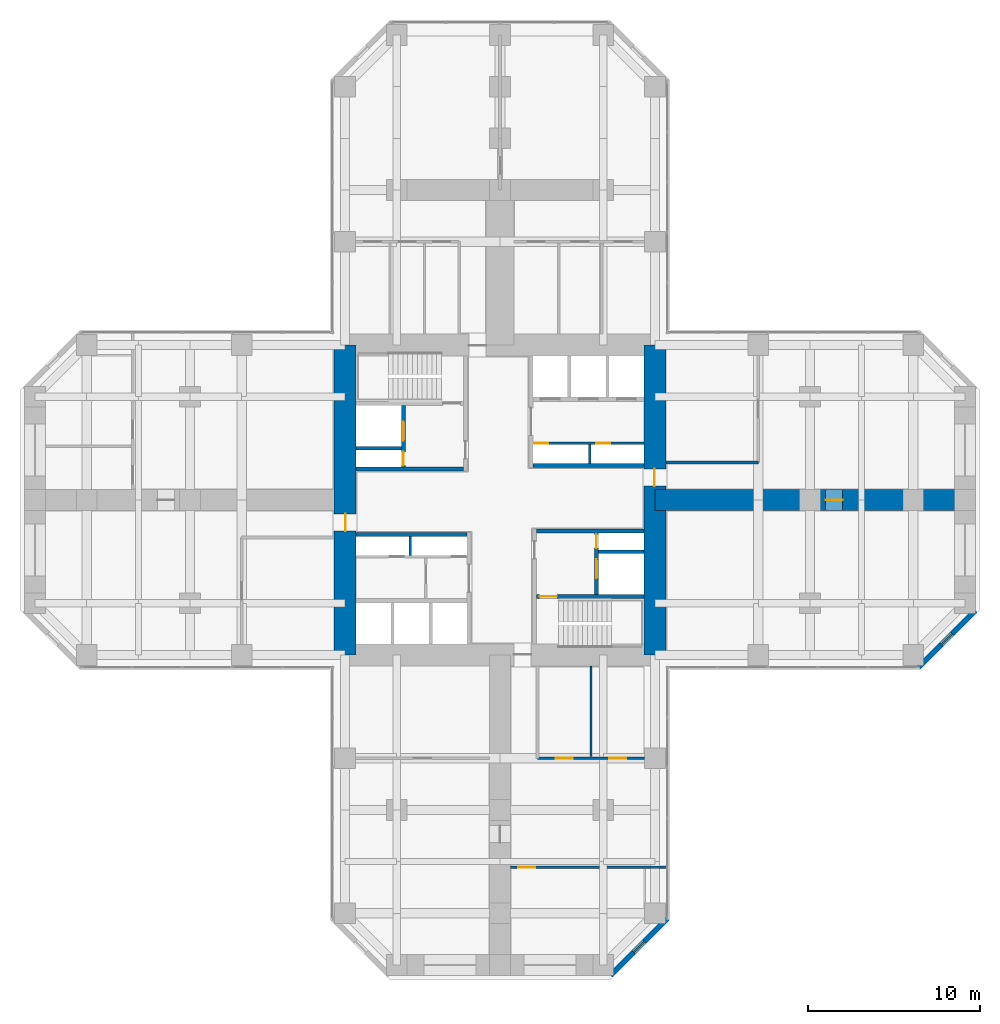
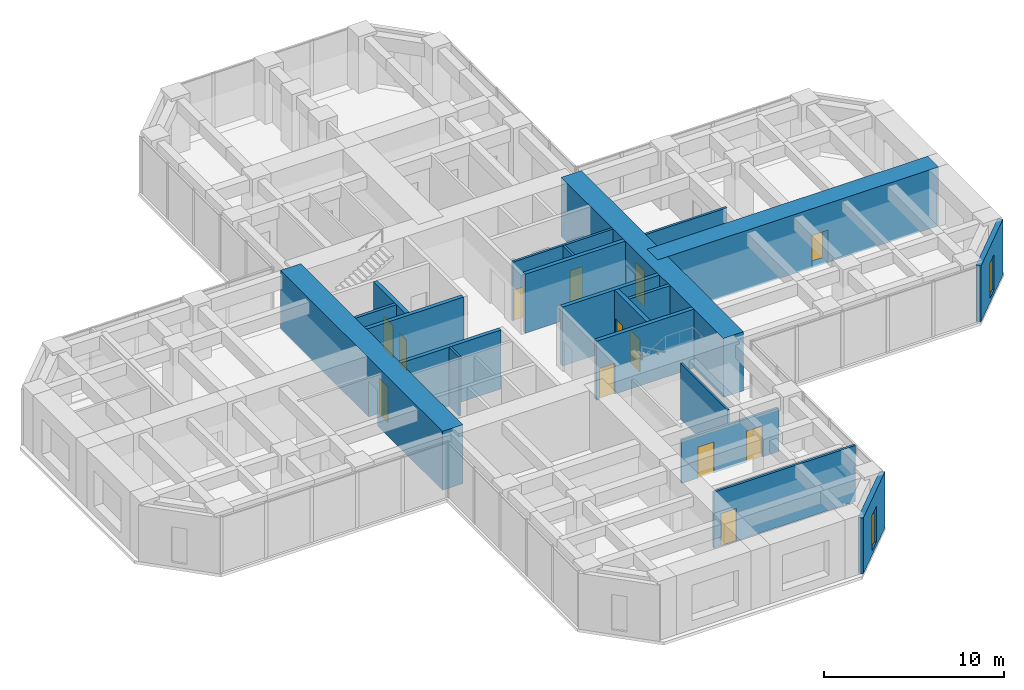
# One storey, part 9 of 12: 21 walls, 13 doors, 2 windows, 15 openings.
"""IFC4 building model written with IfcOpenShell, lengths in metres."""

from ifc_helpers import new_model, si_unit, direction, frame, frame_2d, origin, place, context, subcontext, project, spatial, rectangle, hollow_rectangle, extrude, material, layer, layer_set, constituent, constituent_set, type_object, element, fill, save


model = new_model("IFC4")

# Units and contexts
model_context = context("Model", 3, precision=1e-05, world=origin(), true_north=direction((0.0, 1.0)))
body_context = subcontext(model_context, "Body", "Model", "MODEL_VIEW")
ifc_project = project(units=[si_unit("LENGTHUNIT", "METRE"), si_unit("AREAUNIT", "SQUARE_METRE"), si_unit("VOLUMEUNIT", "CUBIC_METRE"), si_unit("PLANEANGLEUNIT", "RADIAN"), si_unit("MASSUNIT", "GRAM", prefix="KILO")], contexts=[model_context])

# Site, building, storey
site_placement = place(None, origin())
site = spatial("IfcSite", under=ifc_project, at=site_placement, CompositionType="ELEMENT")
building_placement = place(site_placement, origin())
building = spatial("IfcBuilding", under=site, at=building_placement, Name="Torre Cruceta", CompositionType="ELEMENT")
storey_placement = place(building_placement, frame((0.0, 0.0, 71.5)))
storey = spatial("IfcBuildingStorey", under=building, at=storey_placement, Name="L17", CompositionType="ELEMENT", Elevation=71.5)

# Walls
ifc_material_1 = material(Name="Concrete G60 (fck 60 MPa)", Category="concrete")
ifc_layer_1 = layer(ifc_material_1, 0.25)
ifc_layer_set_1 = layer_set([ifc_layer_1], Name="Concrete G60 (fck 60 MPa)")
wall_type_1 = type_object("IfcWallType", Name="CORE INNER WALL 250 G60", PredefinedType="SHEAR", material=ifc_layer_set_1)
wall_1_placement = place(storey_placement, frame((1.925048828125, 2.0, 0.0), z_axis=(0.0, 0.0, 1.0), x_axis=(1.0, 0.0, 0.0)))
element("IfcWall", 1, at=wall_1_placement, inside=storey, type_object=wall_type_1, Name="CW4 L17 NE-CV", PredefinedType="SHEAR", context=body_context, shape_type="SweptSolid", body=[
    extrude(rectangle(XDim=6.425048828125, YDim=0.25, at=frame_2d((3.21240234375, 0.0))), origin(), (0.0, 0.0, 1.0), 4.0),
])
wall_2_placement = place(storey_placement, frame((-2.125, 1.800048828125, 0.0), z_axis=(0.0, 0.0, 1.0), x_axis=(-1.0, 0.0, 0.0)))
element("IfcWall", 2, at=wall_2_placement, inside=storey, type_object=wall_type_1, Name="CW4 L17 NW-CV", PredefinedType="SHEAR", context=body_context, shape_type="SweptSolid", body=[
    extrude(rectangle(XDim=6.22509765625, YDim=0.25, at=frame_2d((3.112548828125, 0.0))), origin(), (0.0, 0.0, 1.0), 4.0),
])

# Wall, openings, doors
wall_3_placement = place(storey_placement, frame((-5.60009765625, 1.925048828125, 0.0), z_axis=(0.0, 0.0, 1.0), x_axis=(0.0, 1.0, 0.0)))
wall_3 = element("IfcWall", 3, at=wall_3_placement, inside=storey, type_object=wall_type_1, Name="CW4 L17 NW-FU", PredefinedType="SHEAR", context=body_context, shape_type="SweptSolid", body=[
    extrude(rectangle(XDim=3.550048828125, YDim=0.25, at=frame_2d((1.77490234375, 0.0))), origin(), (0.0, 0.0, 1.0), 4.0),
])
opening_1_placement = place(wall_3_placement, frame((1.52490234375, 0.0, 0.0)))
opening_1 = element("IfcOpeningElement", 4, at=opening_1_placement, cuts=wall_3, Name="Opening LD1", PredefinedType="OPENING", context=body_context, shape_type="SweptSolid", body=[
    extrude(rectangle(XDim=1.10009765625, YDim=2.199951171875, at=frame_2d((0.550048828125, 1.10009765625))), frame((0.0, 0.135009765625, 0.0), z_axis=(0.0, -1.0, 0.0), x_axis=(1.0, 0.0, 0.0)), (0.0, 0.0, 1.0), 0.27001953125),
])
opening_2_placement = place(wall_3_placement, frame((0.074951171875, 0.0, 0.0)))
opening_2 = element("IfcOpeningElement", 5, at=opening_2_placement, cuts=wall_3, Name="Opening D5", PredefinedType="OPENING", context=body_context, shape_type="SweptSolid", body=[
    extrude(rectangle(XDim=0.800048828125, YDim=2.10009765625, at=frame_2d((0.39990234375, 1.050048828125))), frame((0.0, 0.135009765625, 0.0), z_axis=(0.0, -1.0, 0.0), x_axis=(1.0, 0.0, 0.0)), (0.0, 0.0, 1.0), 0.27001953125),
])
ifc_material_2 = material(Name="Stainless steel 1.4401", Category="steel")
door_type_1 = type_object("IfcDoorType", Name="LIFT LANDING DOOR 1100X2200", OperationType="DOUBLE_DOOR_SLIDING", PredefinedType="DOOR", material=ifc_material_2)
door_1_placement = place(opening_1_placement, origin())
door_1 = element("IfcDoor", 6, at=door_1_placement, inside=storey, type_object=door_type_1, Name="Lift landing door FL1", OperationType="DOUBLE_DOOR_SLIDING", OverallHeight=2.199951171875, OverallWidth=1.10009765625, PredefinedType="DOOR", context=body_context, shape_type="SweptSolid", body=[
    extrude(rectangle(XDim=1.10009765625, YDim=2.199951171875, at=frame_2d((0.550048828125, 1.10009765625))), frame((0.0, 0.02490234375, 0.0), z_axis=(0.0, -1.0, 0.0), x_axis=(1.0, 0.0, 0.0)), (0.0, 0.0, 1.0), 0.050048828125),
])
fill(opening_1, door_1)
ifc_material_3 = material(Name="Steel DX51D", Category="steel")
ifc_constituent_1 = constituent(ifc_material_3, Name="Leaf and frame")
ifc_material_4 = material(Name="Polyester powder coating", Category="paint")
ifc_constituent_2 = constituent(ifc_material_4, Name="Finish")
ifc_constituent_set_1 = constituent_set(constituents=[ifc_constituent_1, ifc_constituent_2], Name="Steel fire door")
door_type_2 = type_object("IfcDoorType", Name="RISER ACCESS DOOR 800X2100", OperationType="SINGLE_SWING_LEFT", PredefinedType="DOOR", material=ifc_constituent_set_1)
door_2_placement = place(opening_2_placement, origin())
door_2 = element("IfcDoor", 7, at=door_2_placement, inside=storey, type_object=door_type_2, Name="D5 L17 NW-RISER", OperationType="SINGLE_SWING_LEFT", OverallHeight=2.10009765625, OverallWidth=0.800048828125, PredefinedType="DOOR", context=body_context, shape_type="SweptSolid", body=[
    extrude(rectangle(XDim=0.800048828125, YDim=2.10009765625, at=frame_2d((0.39990234375, 1.050048828125))), frame((0.0, 0.02490234375, 0.0), z_axis=(0.0, -1.0, 0.0), x_axis=(1.0, 0.0, 0.0)), (0.0, 0.0, 1.0), 0.050048828125),
])
fill(opening_2, door_2)

# Walls
wall_4_placement = place(storey_placement, frame((-1.925048828125, -2.0, 0.0), z_axis=(0.0, 0.0, 1.0), x_axis=(-1.0, 0.0, 0.0)))
element("IfcWall", 8, at=wall_4_placement, inside=storey, type_object=wall_type_1, Name="CW4 L17 SW-CV", PredefinedType="SHEAR", context=body_context, shape_type="SweptSolid", body=[
    extrude(rectangle(XDim=6.425048828125, YDim=0.25, at=frame_2d((3.21240234375, 0.0))), origin(), (0.0, 0.0, 1.0), 4.0),
])
wall_5_placement = place(storey_placement, frame((2.125, -1.800048828125, 0.0), z_axis=(0.0, 0.0, 1.0), x_axis=(1.0, 0.0, 0.0)))
element("IfcWall", 9, at=wall_5_placement, inside=storey, type_object=wall_type_1, Name="CW4 L17 SE-CV", PredefinedType="SHEAR", context=body_context, shape_type="SweptSolid", body=[
    extrude(rectangle(XDim=6.22509765625, YDim=0.25, at=frame_2d((3.112548828125, 0.0))), origin(), (0.0, 0.0, 1.0), 4.0),
])

# Wall, opening, door
wall_6_placement = place(storey_placement, frame((2.125, -5.60009765625, 0.0), z_axis=(0.0, 0.0, 1.0), x_axis=(1.0, 0.0, 0.0)))
wall_6 = element("IfcWall", 10, at=wall_6_placement, inside=storey, type_object=wall_type_1, Name="CW4 L17 SE-SV", PredefinedType="SHEAR", context=body_context, shape_type="SweptSolid", body=[
    extrude(rectangle(XDim=6.22509765625, YDim=0.25, at=frame_2d((3.112548828125, 0.0))), origin(), (0.0, 0.0, 1.0), 4.0),
])
opening_3_placement = place(wall_6_placement, frame((0.175048828125, 0.0, 0.0)))
opening_3 = element("IfcOpeningElement", 11, at=opening_3_placement, cuts=wall_6, Name="Opening D3", PredefinedType="OPENING", context=body_context, shape_type="SweptSolid", body=[
    extrude(rectangle(XDim=1.0, YDim=2.10009765625, at=frame_2d((0.5, 1.050048828125))), frame((0.0, 0.135009765625, 0.0), z_axis=(0.0, -1.0, 0.0), x_axis=(1.0, 0.0, 0.0)), (0.0, 0.0, 1.0), 0.27001953125),
])
ifc_material_5 = material(Name="Steel DX51D", Category="steel")
ifc_constituent_3 = constituent(ifc_material_5, Name="Leaf and frame")
ifc_material_6 = material(Name="Polyester powder coating", Category="paint")
ifc_constituent_4 = constituent(ifc_material_6, Name="Finish")
ifc_constituent_set_2 = constituent_set(constituents=[ifc_constituent_3, ifc_constituent_4], Name="Steel fire door")
door_type_3 = type_object("IfcDoorType", Name="FIRE DOOR 1000X2100", OperationType="SINGLE_SWING_LEFT", PredefinedType="DOOR", material=ifc_constituent_set_2)
door_3_placement = place(opening_3_placement, frame((1.0, 0.0, 0.0), z_axis=(0.0, 0.0, 1.0), x_axis=(-1.0, 0.0, 0.0)))
door_3 = element("IfcDoor", 12, at=door_3_placement, inside=storey, type_object=door_type_3, Name="D3 L17 SE-STAIR", OperationType="SINGLE_SWING_RIGHT", OverallHeight=2.10009765625, OverallWidth=1.0, PredefinedType="DOOR", context=body_context, shape_type="SweptSolid", body=[
    extrude(rectangle(XDim=1.0, YDim=2.10009765625, at=frame_2d((0.5, 1.050048828125))), frame((0.0, 0.025146484375, 0.0), z_axis=(0.0, -1.0, 0.0), x_axis=(1.0, 0.0, 0.0)), (0.0, 0.0, 1.0), 0.050048828125),
])
fill(opening_3, door_3)

# Wall, openings, doors
wall_7_placement = place(storey_placement, frame((5.60009765625, -1.925048828125, 0.0), z_axis=(0.0, 0.0, 1.0), x_axis=(0.0, -1.0, 0.0)))
wall_7 = element("IfcWall", 13, at=wall_7_placement, inside=storey, type_object=wall_type_1, Name="CW4 L17 SE-FU", PredefinedType="SHEAR", context=body_context, shape_type="SweptSolid", body=[
    extrude(rectangle(XDim=3.550048828125, YDim=0.25, at=frame_2d((1.77490234375, 0.0))), origin(), (0.0, 0.0, 1.0), 4.0),
])
opening_4_placement = place(wall_7_placement, frame((1.52490234375, 0.0, 0.0)))
opening_4 = element("IfcOpeningElement", 14, at=opening_4_placement, cuts=wall_7, Name="Opening LD1", PredefinedType="OPENING", context=body_context, shape_type="SweptSolid", body=[
    extrude(rectangle(XDim=1.10009765625, YDim=2.199951171875, at=frame_2d((0.550048828125, 1.10009765625))), frame((0.0, 0.135009765625, 0.0), z_axis=(0.0, -1.0, 0.0), x_axis=(1.0, 0.0, 0.0)), (0.0, 0.0, 1.0), 0.27001953125),
])
opening_5_placement = place(wall_7_placement, frame((0.074951171875, 0.0, 0.0)))
opening_5 = element("IfcOpeningElement", 15, at=opening_5_placement, cuts=wall_7, Name="Opening D5", PredefinedType="OPENING", context=body_context, shape_type="SweptSolid", body=[
    extrude(rectangle(XDim=0.800048828125, YDim=2.10009765625, at=frame_2d((0.39990234375, 1.050048828125))), frame((0.0, 0.135009765625, 0.0), z_axis=(0.0, -1.0, 0.0), x_axis=(1.0, 0.0, 0.0)), (0.0, 0.0, 1.0), 0.27001953125),
])
door_4_placement = place(opening_4_placement, origin())
door_4 = element("IfcDoor", 16, at=door_4_placement, inside=storey, type_object=door_type_1, Name="Lift landing door FL2", OperationType="DOUBLE_DOOR_SLIDING", OverallHeight=2.199951171875, OverallWidth=1.10009765625, PredefinedType="DOOR", context=body_context, shape_type="SweptSolid", body=[
    extrude(rectangle(XDim=1.10009765625, YDim=2.199951171875, at=frame_2d((0.550048828125, 1.10009765625))), frame((0.0, 0.02490234375, 0.0), z_axis=(0.0, -1.0, 0.0), x_axis=(1.0, 0.0, 0.0)), (0.0, 0.0, 1.0), 0.050048828125),
])
fill(opening_4, door_4)
door_5_placement = place(opening_5_placement, origin())
door_5 = element("IfcDoor", 17, at=door_5_placement, inside=storey, type_object=door_type_2, Name="D5 L17 SE-RISER", OperationType="SINGLE_SWING_LEFT", OverallHeight=2.10009765625, OverallWidth=0.800048828125, PredefinedType="DOOR", context=body_context, shape_type="SweptSolid", body=[
    extrude(rectangle(XDim=0.800048828125, YDim=2.10009765625, at=frame_2d((0.39990234375, 1.050048828125))), frame((0.0, 0.02490234375, 0.0), z_axis=(0.0, -1.0, 0.0), x_axis=(1.0, 0.0, 0.0)), (0.0, 0.0, 1.0), 0.050048828125),
])
fill(opening_5, door_5)

# Wall, opening, door
ifc_material_7 = material(Name="Concrete G60 (fck 60 MPa)", Category="concrete")
ifc_layer_2 = layer(ifc_material_7, 1.300048828125)
ifc_layer_set_2 = layer_set([ifc_layer_2], Name="Concrete G60 (fck 60 MPa)")
wall_type_2 = type_object("IfcWallType", Name="CORE WALL 1300 G60", PredefinedType="SHEAR", material=ifc_layer_set_2)
wall_8_placement = place(storey_placement, frame((9.0, -9.0, 0.0), z_axis=(0.0, 0.0, 1.0), x_axis=(0.0, 1.0, 0.0)))
wall_8 = element("IfcWall", 18, at=wall_8_placement, inside=storey, type_object=wall_type_2, Name="CW1 L17 CW-E", PredefinedType="SHEAR", context=body_context, shape_type="SweptSolid", body=[
    extrude(rectangle(XDim=18.0, YDim=1.300048828125, at=frame_2d((9.0, 0.0))), origin(), (0.0, 0.0, 1.0), 4.0),
])
opening_6_placement = place(wall_8_placement, frame((9.800048828125, 0.0, 0.0)))
opening_6 = element("IfcOpeningElement", 19, at=opening_6_placement, cuts=wall_8, Name="Opening D4", PredefinedType="OPENING", context=body_context, shape_type="SweptSolid", body=[
    extrude(rectangle(XDim=1.0, YDim=2.39990234375, at=frame_2d((0.5, 1.199951171875))), frame((0.0, 0.659912109375, 0.0), z_axis=(0.0, -1.0, 0.0), x_axis=(1.0, 0.0, 0.0)), (0.0, 0.0, 1.0), 1.320068359375),
])
ifc_material_8 = material(Name="Steel DX51D", Category="steel")
ifc_constituent_5 = constituent(ifc_material_8, Name="Leaf and frame")
ifc_material_9 = material(Name="Polyester powder coating", Category="paint")
ifc_constituent_6 = constituent(ifc_material_9, Name="Finish")
ifc_constituent_set_3 = constituent_set(constituents=[ifc_constituent_5, ifc_constituent_6], Name="Steel fire door")
door_type_4 = type_object("IfcDoorType", Name="CORE ARM DOOR 1000X2400", OperationType="SINGLE_SWING_RIGHT", PredefinedType="DOOR", material=ifc_constituent_set_3)
door_6_placement = place(opening_6_placement, frame((1.0, 0.0, 0.0), z_axis=(0.0, 0.0, 1.0), x_axis=(-1.0, 0.0, 0.0)))
door_6 = element("IfcDoor", 20, at=door_6_placement, inside=storey, type_object=door_type_4, Name="D4 L17 CW-E", OperationType="SINGLE_SWING_RIGHT", OverallHeight=2.39990234375, OverallWidth=1.0, PredefinedType="DOOR", context=body_context, shape_type="SweptSolid", body=[
    extrude(rectangle(XDim=1.0, YDim=2.39990234375, at=frame_2d((0.5, 1.199951171875))), frame((0.0, -0.005126953125, 0.0), z_axis=(0.0, -1.0, 0.0), x_axis=(1.0, 0.0, 0.0)), (0.0, 0.0, 1.0), 0.050048828125),
])
fill(opening_6, door_6)

wall_9_placement = place(storey_placement, frame((-9.0, 9.0, 0.0), z_axis=(0.0, 0.0, 1.0), x_axis=(0.0, -1.0, 0.0)))
wall_9 = element("IfcWall", 21, at=wall_9_placement, inside=storey, type_object=wall_type_2, Name="CW1 L17 CW-W", PredefinedType="SHEAR", context=body_context, shape_type="SweptSolid", body=[
    extrude(rectangle(XDim=18.0, YDim=1.300048828125, at=frame_2d((9.0, 0.0))), origin(), (0.0, 0.0, 1.0), 4.0),
])
opening_7_placement = place(wall_9_placement, frame((9.800048828125, 0.0, 0.0)))
opening_7 = element("IfcOpeningElement", 22, at=opening_7_placement, cuts=wall_9, Name="Opening D4", PredefinedType="OPENING", context=body_context, shape_type="SweptSolid", body=[
    extrude(rectangle(XDim=1.0, YDim=2.39990234375, at=frame_2d((0.5, 1.199951171875))), frame((0.0, 0.659912109375, 0.0), z_axis=(0.0, -1.0, 0.0), x_axis=(1.0, 0.0, 0.0)), (0.0, 0.0, 1.0), 1.320068359375),
])
door_7_placement = place(opening_7_placement, frame((1.0, 0.0, 0.0), z_axis=(0.0, 0.0, 1.0), x_axis=(-1.0, 0.0, 0.0)))
door_7 = element("IfcDoor", 23, at=door_7_placement, inside=storey, type_object=door_type_4, Name="D4 L17 CW-W", OperationType="SINGLE_SWING_RIGHT", OverallHeight=2.39990234375, OverallWidth=1.0, PredefinedType="DOOR", context=body_context, shape_type="SweptSolid", body=[
    extrude(rectangle(XDim=1.0, YDim=2.39990234375, at=frame_2d((0.5, 1.199951171875))), frame((0.0, -0.005126953125, 0.0), z_axis=(0.0, -1.0, 0.0), x_axis=(1.0, 0.0, 0.0)), (0.0, 0.0, 1.0), 0.050048828125),
])
fill(opening_7, door_7)

# Wall, opening, window
ifc_material_10 = material(Name="Concrete G30 (fck 30 MPa)", Category="concrete")
ifc_layer_3 = layer(ifc_material_10, 0.300048828125)
ifc_layer_set_3 = layer_set([ifc_layer_3], Name="Concrete G30 (fck 30 MPa)")
wall_type_3 = type_object("IfcWallType", Name="EXPOSED CONCRETE FACADE WALL 300", PredefinedType="SOLIDWALL", material=ifc_layer_set_3)
wall_10_placement = place(storey_placement, frame((24.29833984375, -9.719970703125, 0.0), z_axis=(0.0, 0.0, 1.0), x_axis=(0.707106781187, 0.707106781187, 0.0)))
wall_10 = element("IfcWall", 24, at=wall_10_placement, inside=storey, type_object=wall_type_3, Name="EW1 facade wall L17 E chamfer 01", PredefinedType="SOLIDWALL", context=body_context, shape_type="SweptSolid", body=[
    extrude(rectangle(XDim=4.66943359375, YDim=0.300048828125, at=frame_2d((2.334716796875, 0.0))), origin(), (0.0, 0.0, 1.0), 3.800048828125),
])
opening_8_placement = place(wall_10_placement, frame((1.884765625, 0.0, 0.300048828125)))
opening_8 = element("IfcOpeningElement", 25, at=opening_8_placement, cuts=wall_10, Name="Opening WN5", PredefinedType="OPENING", context=body_context, shape_type="SweptSolid", body=[
    extrude(rectangle(XDim=0.89990234375, YDim=2.39990234375, at=frame_2d((0.449951171875, 1.199951171875))), frame((0.0, 0.159912109375, 0.0), z_axis=(0.0, -1.0, 0.0), x_axis=(1.0, 0.0, 0.0)), (0.0, 0.0, 1.0), 0.320068359375),
])
ifc_material_11 = material(Name="Aluminium window frame", Category="aluminium")
ifc_constituent_7 = constituent(ifc_material_11, Name="Frame")
ifc_material_12 = material(Name="Laminated insulating glass unit, low-iron clear", Category="glass")
ifc_constituent_8 = constituent(ifc_material_12, Name="Glazing")
ifc_constituent_set_4 = constituent_set(constituents=[ifc_constituent_7, ifc_constituent_8], Name="Aluminium window")
window_type = type_object("IfcWindowType", Name="CHAMFER SLOT WINDOW 900X2400", PartitioningType="SINGLE_PANEL", PredefinedType="WINDOW", material=ifc_constituent_set_4)
window_1_placement = place(opening_8_placement, origin())
window_1 = element("IfcWindow", 26, at=window_1_placement, inside=storey, type_object=window_type, Name="WN5 L17 E 1", OverallHeight=2.39990234375, OverallWidth=0.89990234375, PartitioningType="SINGLE_PANEL", PredefinedType="WINDOW", context=body_context, shape_type="SweptSolid", body=[
    extrude(hollow_rectangle(XDim=0.89990234375, YDim=2.39990234375, WallThickness=0.06005859375, at=frame_2d((0.449951171875, 1.199951171875))), frame((0.0, 0.030029296875, 0.0), z_axis=(0.0, -1.0, 0.0), x_axis=(1.0, 0.0, 0.0)), (0.0, 0.0, 1.0), 0.06005859375),
    extrude(rectangle(XDim=0.77880859375, YDim=2.27880859375, at=frame_2d((0.449951171875, 1.199951171875))), frame((0.0, 0.030029296875, 0.0), z_axis=(0.0, -1.0, 0.0), x_axis=(1.0, 0.0, 0.0)), (0.0, 0.0, 1.0), 0.06005859375),
])
fill(opening_8, window_1)

wall_11_placement = place(storey_placement, frame((6.418212890625, -27.60009765625, 0.0), z_axis=(0.0, 0.0, 1.0), x_axis=(0.707106781187, 0.707106781187, 0.0)))
wall_11 = element("IfcWall", 27, at=wall_11_placement, inside=storey, type_object=wall_type_3, Name="EW1 facade wall L17 S chamfer 18", PredefinedType="SOLIDWALL", context=body_context, shape_type="SweptSolid", body=[
    extrude(rectangle(XDim=4.66943359375, YDim=0.300048828125, at=frame_2d((2.334716796875, 0.0))), origin(), (0.0, 0.0, 1.0), 3.800048828125),
])
opening_9_placement = place(wall_11_placement, frame((1.884765625, 0.0, 0.300048828125)))
opening_9 = element("IfcOpeningElement", 28, at=opening_9_placement, cuts=wall_11, Name="Opening WN5", PredefinedType="OPENING", context=body_context, shape_type="SweptSolid", body=[
    extrude(rectangle(XDim=0.89990234375, YDim=2.39990234375, at=frame_2d((0.449951171875, 1.199951171875))), frame((0.0, 0.159912109375, 0.0), z_axis=(0.0, -1.0, 0.0), x_axis=(1.0, 0.0, 0.0)), (0.0, 0.0, 1.0), 0.320068359375),
])
window_2_placement = place(opening_9_placement, origin())
window_2 = element("IfcWindow", 29, at=window_2_placement, inside=storey, type_object=window_type, Name="WN5 L17 S 1", OverallHeight=2.39990234375, OverallWidth=0.89990234375, PartitioningType="SINGLE_PANEL", PredefinedType="WINDOW", context=body_context, shape_type="SweptSolid", body=[
    extrude(hollow_rectangle(XDim=0.89990234375, YDim=2.39990234375, WallThickness=0.06005859375, at=frame_2d((0.449951171875, 1.199951171875))), frame((0.0, 0.030029296875, 0.0), z_axis=(0.0, -1.0, 0.0), x_axis=(1.0, 0.0, 0.0)), (0.0, 0.0, 1.0), 0.06005859375),
    extrude(rectangle(XDim=0.77880859375, YDim=2.27880859375, at=frame_2d((0.449951171875, 1.199951171875))), frame((0.0, 0.030029296875, 0.0), z_axis=(0.0, -1.0, 0.0), x_axis=(1.0, 0.0, 0.0)), (0.0, 0.0, 1.0), 0.06005859375),
])
fill(opening_9, window_2)

# Walls
ifc_material_13 = material(Name="Concrete G35 (fck 35 MPa)", Category="concrete")
ifc_layer_4 = layer(ifc_material_13, 0.199951171875)
ifc_layer_set_4 = layer_set([ifc_layer_4], Name="Concrete G35 (fck 35 MPa)")
wall_type_4 = type_object("IfcWallType", Name="LIFT SHAFT WALL 200", PredefinedType="PARTITIONING", material=ifc_layer_set_4)
for number, where, z_axis, x_axis, name in (
    (30, (-5.72509765625, 3.0, 0.0), (0.0, 0.0, 1.0), (-1.0, 0.0, 0.0), "SW1 L17 NW-FR"),
    (31, (5.72509765625, -3.0, 0.0), (0.0, 0.0, 1.0), (1.0, 0.0, 0.0), "SW1 L17 SE-FR"),
):
    element("IfcWall", number, at=place(storey_placement, frame(where, z_axis=z_axis, x_axis=x_axis)), inside=storey, type_object=wall_type_4, Name=name, PredefinedType="PARTITIONING", context=body_context, shape_type="SweptSolid", body=[
        extrude(rectangle(XDim=2.625, YDim=0.199951171875, at=frame_2d((1.3125, 0.0))), origin(), (0.0, 0.0, 1.0), 4.0),
    ])
ifc_material_14 = material(Name="Plasterboard on steel studs", Category="steel")
ifc_layer_5 = layer(ifc_material_14, 0.14990234375)
ifc_layer_set_5 = layer_set([ifc_layer_5], Name="Plasterboard on steel studs")
wall_type_5 = type_object("IfcWallType", Name="PARTITION 150", PredefinedType="PARTITIONING", material=ifc_layer_set_5)
wall_12_placement = place(storey_placement, frame((9.64990234375, 2.175048828125, 0.0), z_axis=(0.0, 0.0, 1.0), x_axis=(1.0, 0.0, 0.0)))
element("IfcWall", 32, at=wall_12_placement, inside=storey, type_object=wall_type_5, Name="PT1 L17-E-BSL", PredefinedType="PARTITIONING", context=body_context, shape_type="SweptSolid", body=[
    extrude(rectangle(XDim=5.35009765625, YDim=0.14990234375, at=frame_2d((2.675048828125, 0.0))), origin(), (0.0, 0.0, 1.0), 3.800048828125),
])

# Wall, openings, doors
wall_13_placement = place(storey_placement, frame((2.175048828125, -15.0, 0.0), z_axis=(0.0, 0.0, 1.0), x_axis=(1.0, 0.0, 0.0)))
wall_13 = element("IfcWall", 33, at=wall_13_placement, inside=storey, type_object=wall_type_5, Name="PT1 L17-S-BFL", PredefinedType="PARTITIONING", context=body_context, shape_type="SweptSolid", body=[
    extrude(rectangle(XDim=6.224853515625, YDim=0.14990234375, at=frame_2d((3.1123046875, 0.0))), origin(), (0.0, 0.0, 1.0), 2.949951171875),
])
opening_10_placement = place(wall_13_placement, frame((1.05615234375, 0.0, 0.0)))
opening_10 = element("IfcOpeningElement", 34, at=opening_10_placement, cuts=wall_13, Name="Opening D3", PredefinedType="OPENING", context=body_context, shape_type="SweptSolid", body=[
    extrude(rectangle(XDim=1.0, YDim=2.10009765625, at=frame_2d((0.5, 1.050048828125))), frame((0.0, 0.0849609375, 0.0), z_axis=(0.0, -1.0, 0.0), x_axis=(1.0, 0.0, 0.0)), (0.0, 0.0, 1.0), 0.169921875),
])
opening_11_placement = place(wall_13_placement, frame((4.168701171875, 0.0, 0.0)))
opening_11 = element("IfcOpeningElement", 35, at=opening_11_placement, cuts=wall_13, Name="Opening D3", PredefinedType="OPENING", context=body_context, shape_type="SweptSolid", body=[
    extrude(rectangle(XDim=1.0, YDim=2.10009765625, at=frame_2d((0.5, 1.050048828125))), frame((0.0, 0.0849609375, 0.0), z_axis=(0.0, -1.0, 0.0), x_axis=(1.0, 0.0, 0.0)), (0.0, 0.0, 1.0), 0.169921875),
])
door_8_placement = place(opening_10_placement, origin())
door_8 = element("IfcDoor", 36, at=door_8_placement, inside=storey, type_object=door_type_3, Name="D3 L17-S-BFL-D1", OperationType="SINGLE_SWING_LEFT", OverallHeight=2.10009765625, OverallWidth=1.0, PredefinedType="DOOR", context=body_context, shape_type="SweptSolid", body=[
    extrude(rectangle(XDim=1.0, YDim=2.10009765625, at=frame_2d((0.5, 1.050048828125))), frame((0.0, 0.02490234375, 0.0), z_axis=(0.0, -1.0, 0.0), x_axis=(1.0, 0.0, 0.0)), (0.0, 0.0, 1.0), 0.050048828125),
])
fill(opening_10, door_8)
door_9_placement = place(opening_11_placement, origin())
door_9 = element("IfcDoor", 37, at=door_9_placement, inside=storey, type_object=door_type_3, Name="D3 L17-S-BFL-D2", OperationType="SINGLE_SWING_LEFT", OverallHeight=2.10009765625, OverallWidth=1.0, PredefinedType="DOOR", context=body_context, shape_type="SweptSolid", body=[
    extrude(rectangle(XDim=1.0, YDim=2.10009765625, at=frame_2d((0.5, 1.050048828125))), frame((0.0, 0.02490234375, 0.0), z_axis=(0.0, -1.0, 0.0), x_axis=(1.0, 0.0, 0.0)), (0.0, 0.0, 1.0), 0.050048828125),
])
fill(opening_11, door_9)

# Wall, opening, door
wall_14_placement = place(storey_placement, frame((0.60009765625, -21.320068359375, 0.0), z_axis=(0.0, 0.0, 1.0), x_axis=(1.0, 0.0, 0.0)))
wall_14 = element("IfcWall", 38, at=wall_14_placement, inside=storey, type_object=wall_type_5, Name="PT1 L17-S-TWL", PredefinedType="PARTITIONING", context=body_context, shape_type="SweptSolid", body=[
    extrude(rectangle(XDim=9.079833984375, YDim=0.14990234375, at=frame_2d((4.5400390625, 0.0))), origin(), (0.0, 0.0, 1.0), 3.800048828125),
])
opening_12_placement = place(wall_14_placement, frame((0.449951171875, 0.0, 0.0)))
opening_12 = element("IfcOpeningElement", 39, at=opening_12_placement, cuts=wall_14, Name="Opening D14", PredefinedType="OPENING", context=body_context, shape_type="SweptSolid", body=[
    extrude(rectangle(XDim=1.0, YDim=2.199951171875, at=frame_2d((0.5, 1.10009765625))), frame((0.0, 0.0849609375, 0.0), z_axis=(0.0, -1.0, 0.0), x_axis=(1.0, 0.0, 0.0)), (0.0, 0.0, 1.0), 0.169921875),
])
ifc_material_15 = material(Name="Steel DX51D", Category="steel")
ifc_constituent_9 = constituent(ifc_material_15, Name="Leaf and frame")
ifc_material_16 = material(Name="Polyester powder coating", Category="paint")
ifc_constituent_10 = constituent(ifc_material_16, Name="Finish")
ifc_material_17 = material(Name="Fire-resisting glass", Category="glass")
ifc_constituent_11 = constituent(ifc_material_17, Name="Vision panel")
ifc_constituent_set_5 = constituent_set(constituents=[ifc_constituent_9, ifc_constituent_10, ifc_constituent_11], Name="Steel fire door with vision panel")
door_type_5 = type_object("IfcDoorType", Name="FIRE DOOR VISION PANEL 1000X2200", OperationType="SINGLE_SWING_RIGHT", PredefinedType="DOOR", material=ifc_constituent_set_5)
door_10_placement = place(opening_12_placement, frame((1.0, 0.0, 0.0), z_axis=(0.0, 0.0, 1.0), x_axis=(-1.0, 0.0, 0.0)))
door_10 = element("IfcDoor", 40, at=door_10_placement, inside=storey, type_object=door_type_5, Name="D14 L17-S-TWL-D1", OperationType="SINGLE_SWING_RIGHT", OverallHeight=2.199951171875, OverallWidth=1.0, PredefinedType="DOOR", context=body_context, shape_type="SweptSolid", body=[
    extrude(rectangle(XDim=1.0, YDim=2.199951171875, at=frame_2d((0.5, 1.10009765625))), frame((0.0, 0.025146484375, 0.0), z_axis=(0.0, -1.0, 0.0), x_axis=(1.0, 0.0, 0.0)), (0.0, 0.0, 1.0), 0.050048828125),
])
fill(opening_12, door_10)

# Wall, openings, doors
ifc_material_18 = material(Name="Concrete block masonry", Category="masonry")
ifc_layer_6 = layer(ifc_material_18, 0.14990234375)
ifc_layer_set_6 = layer_set([ifc_layer_6], Name="Concrete block masonry")
wall_type_6 = type_object("IfcWallType", Name="RISER WALL 150", PredefinedType="PARTITIONING", material=ifc_layer_set_6)
wall_15_placement = place(storey_placement, frame((1.925048828125, 3.300048828125, 0.0), z_axis=(0.0, 0.0, 1.0), x_axis=(1.0, 0.0, 0.0)))
wall_15 = element("IfcWall", 41, at=wall_15_placement, inside=storey, type_object=wall_type_6, Name="SW7 L17 NE-RV", PredefinedType="PARTITIONING", context=body_context, shape_type="SweptSolid", body=[
    extrude(rectangle(XDim=6.425048828125, YDim=0.14990234375, at=frame_2d((3.21240234375, 0.0))), origin(), (0.0, 0.0, 1.0), 4.0),
])
opening_13_placement = place(wall_15_placement, frame((0.074951171875, 0.0, 0.0)))
opening_13 = element("IfcOpeningElement", 42, at=opening_13_placement, cuts=wall_15, Name="Opening D5", PredefinedType="OPENING", context=body_context, shape_type="SweptSolid", body=[
    extrude(rectangle(XDim=0.800048828125, YDim=2.10009765625, at=frame_2d((0.39990234375, 1.050048828125))), frame((0.0, 0.0849609375, 0.0), z_axis=(0.0, -1.0, 0.0), x_axis=(1.0, 0.0, 0.0)), (0.0, 0.0, 1.0), 0.169921875),
])
opening_14_placement = place(wall_15_placement, frame((3.675048828125, 0.0, 0.0)))
opening_14 = element("IfcOpeningElement", 43, at=opening_14_placement, cuts=wall_15, Name="Opening D5", PredefinedType="OPENING", context=body_context, shape_type="SweptSolid", body=[
    extrude(rectangle(XDim=0.800048828125, YDim=2.10009765625, at=frame_2d((0.39990234375, 1.050048828125))), frame((0.0, 0.0849609375, 0.0), z_axis=(0.0, -1.0, 0.0), x_axis=(1.0, 0.0, 0.0)), (0.0, 0.0, 1.0), 0.169921875),
])
door_11_placement = place(opening_13_placement, frame((0.800048828125, 0.0, 0.0), z_axis=(0.0, 0.0, 1.0), x_axis=(-1.0, 0.0, 0.0)))
door_11 = element("IfcDoor", 44, at=door_11_placement, inside=storey, type_object=door_type_2, Name="D5 L17 NE-RISER1", OperationType="SINGLE_SWING_RIGHT", OverallHeight=2.10009765625, OverallWidth=0.800048828125, PredefinedType="DOOR", context=body_context, shape_type="SweptSolid", body=[
    extrude(rectangle(XDim=0.800048828125, YDim=2.10009765625, at=frame_2d((0.400146484375, 1.050048828125))), frame((0.0, 0.025146484375, 0.0), z_axis=(0.0, -1.0, 0.0), x_axis=(1.0, 0.0, 0.0)), (0.0, 0.0, 1.0), 0.050048828125),
])
fill(opening_13, door_11)
door_12_placement = place(opening_14_placement, frame((0.800048828125, 0.0, 0.0), z_axis=(0.0, 0.0, 1.0), x_axis=(-1.0, 0.0, 0.0)))
door_12 = element("IfcDoor", 45, at=door_12_placement, inside=storey, type_object=door_type_2, Name="D5 L17 NE-RISER2", OperationType="SINGLE_SWING_RIGHT", OverallHeight=2.10009765625, OverallWidth=0.800048828125, PredefinedType="DOOR", context=body_context, shape_type="SweptSolid", body=[
    extrude(rectangle(XDim=0.800048828125, YDim=2.10009765625, at=frame_2d((0.400146484375, 1.050048828125))), frame((0.0, 0.025146484375, 0.0), z_axis=(0.0, -1.0, 0.0), x_axis=(1.0, 0.0, 0.0)), (0.0, 0.0, 1.0), 0.050048828125),
])
fill(opening_14, door_12)

# Walls
for number, where, z_axis, x_axis, name in (
    (46, (5.199951171875, 2.125, 0.0), (0.0, 0.0, 1.0), (0.0, 1.0, 0.0), "SW7 L17 NE-RU"),
    (47, (-5.199951171875, -2.125, 0.0), (0.0, 0.0, 1.0), (0.0, -1.0, 0.0), "SW7 L17 SW-RU"),
):
    element("IfcWall", number, at=place(storey_placement, frame(where, z_axis=z_axis, x_axis=x_axis)), inside=storey, type_object=wall_type_6, Name=name, PredefinedType="PARTITIONING", context=body_context, shape_type="SweptSolid", body=[
        extrude(rectangle(XDim=1.10009765625, YDim=0.14990234375, at=frame_2d((0.550048828125, 0.0))), origin(), (0.0, 0.0, 1.0), 4.0),
    ])

# Wall, opening, door
ifc_material_19 = material(Name="Concrete G60 (fck 60 MPa)", Category="concrete")
ifc_layer_7 = layer(ifc_material_19, 1.199951171875)
ifc_layer_set_7 = layer_set([ifc_layer_7], Name="Concrete G60 (fck 60 MPa)")
wall_type_7 = type_object("IfcWallType", Name="SPINE WALL 1200 G60", PredefinedType="SHEAR", material=ifc_layer_set_7)
wall_16_placement = place(storey_placement, frame((9.0, 0.0, 0.0), z_axis=(0.0, 0.0, 1.0), x_axis=(1.0, 0.0, 0.0)))
wall_16 = element("IfcWall", 48, at=wall_16_placement, inside=storey, type_object=wall_type_7, Name="SW3 spine wall L17 E", PredefinedType="SHEAR", context=body_context, shape_type="SweptSolid", body=[
    extrude(rectangle(XDim=18.0, YDim=1.199951171875, at=frame_2d((9.0, 0.0))), origin(), (0.0, 0.0, 1.0), 4.0),
])
opening_15_placement = place(wall_16_placement, frame((9.89990234375, 0.0, 0.0)))
opening_15 = element("IfcOpeningElement", 49, at=opening_15_placement, cuts=wall_16, Name="Opening D14", PredefinedType="OPENING", context=body_context, shape_type="SweptSolid", body=[
    extrude(rectangle(XDim=1.0, YDim=2.199951171875, at=frame_2d((0.5, 1.10009765625))), frame((0.0, 0.60986328125, 0.0), z_axis=(0.0, -1.0, 0.0), x_axis=(1.0, 0.0, 0.0)), (0.0, 0.0, 1.0), 1.219970703125),
])
door_13_placement = place(opening_15_placement, origin())
door_13 = element("IfcDoor", 50, at=door_13_placement, inside=storey, type_object=door_type_5, Name="D14 L17-E-SP1", OperationType="SINGLE_SWING_RIGHT", OverallHeight=2.199951171875, OverallWidth=1.0, PredefinedType="DOOR", context=body_context, shape_type="SweptSolid", body=[
    extrude(rectangle(XDim=1.0, YDim=2.199951171875, at=frame_2d((0.5, 1.10009765625))), frame((0.0, 0.02490234375, 0.0), z_axis=(0.0, -1.0, 0.0), x_axis=(1.0, 0.0, 0.0)), (0.0, 0.0, 1.0), 0.050048828125),
])
fill(opening_15, door_13)

# Wall
ifc_material_20 = material(Name="Plasterboard on steel studs", Category="steel")
ifc_layer_8 = layer(ifc_material_20, 0.1201171875)
ifc_layer_set_8 = layer_set([ifc_layer_8], Name="Plasterboard on steel studs")
wall_type_8 = type_object("IfcWallType", Name="WC PARTITION 120", PredefinedType="PLUMBINGWALL", material=ifc_layer_set_8)
wall_17_placement = place(storey_placement, frame((5.28759765625, -9.64990234375, 0.0), z_axis=(0.0, 0.0, 1.0), x_axis=(0.0, -1.0, 0.0)))
element("IfcWall", 51, at=wall_17_placement, inside=storey, type_object=wall_type_8, Name="PT5 L17-S-BDL1", PredefinedType="PLUMBINGWALL", context=body_context, shape_type="SweptSolid", body=[
    extrude(rectangle(XDim=5.25, YDim=0.1201171875, at=frame_2d((2.625, 0.0))), origin(), (0.0, 0.0, 1.0), 3.800048828125),
])

save(model, "model.ifc")
